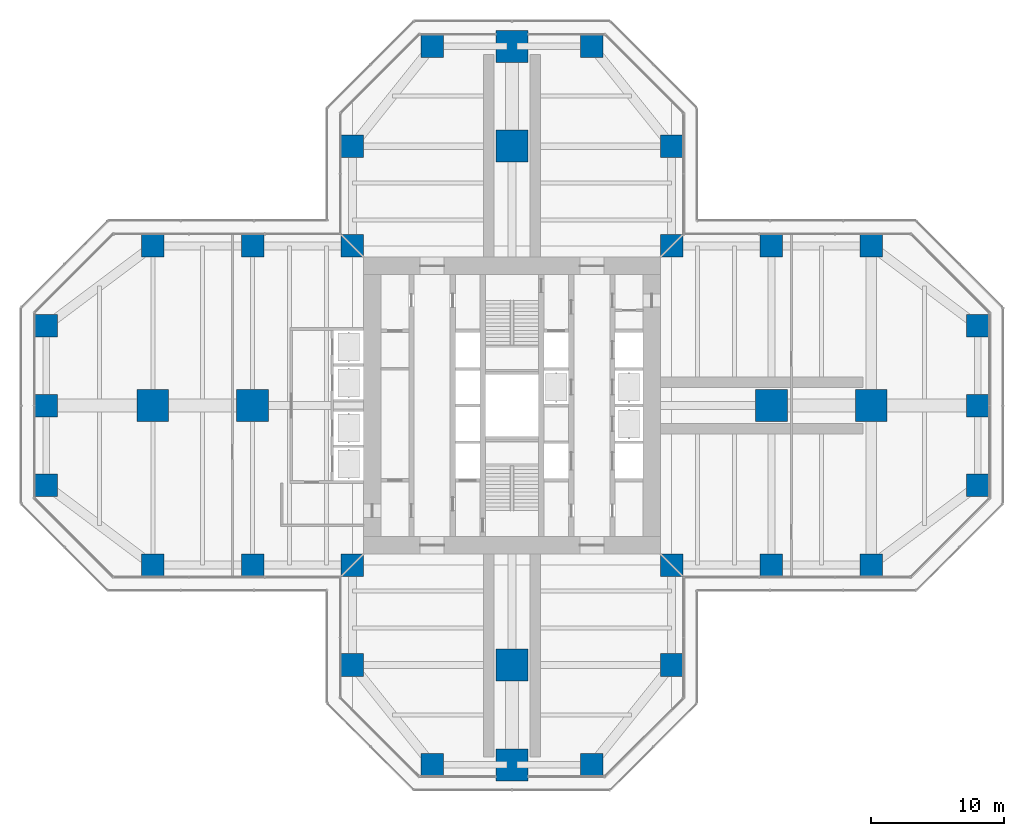
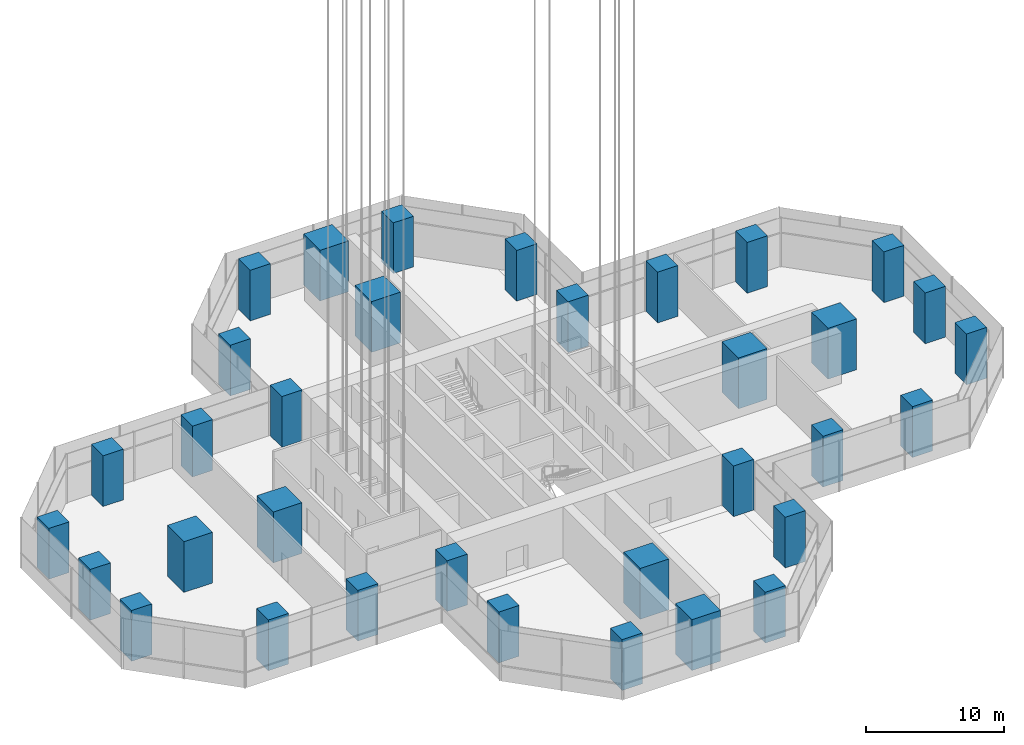
# One storey, part 1 of 34: 34 columns.
"""IFC4 building model written with IfcOpenShell, lengths in metres."""

from ifc_helpers import new_model, si_unit, direction, frame, origin, origin_2d, place, context, subcontext, project, spatial, rectangle, extrude, material, material_profile, profile_set, type_object, element, save


model = new_model("IFC4")

# Units and contexts
model_context = context("Model", 3, precision=1e-05, world=origin(), true_north=direction((0.0, 1.0)))
body_context = subcontext(model_context, "Body", "Model", "MODEL_VIEW")
ifc_project = project(units=[si_unit("LENGTHUNIT", "METRE"), si_unit("AREAUNIT", "SQUARE_METRE"), si_unit("VOLUMEUNIT", "CUBIC_METRE"), si_unit("PLANEANGLEUNIT", "RADIAN"), si_unit("MASSUNIT", "GRAM", prefix="KILO")], contexts=[model_context])

# Site, building, storey
site_placement = place(None, origin())
site = spatial("IfcSite", under=ifc_project, at=site_placement, CompositionType="ELEMENT")
building_placement = place(site_placement, origin())
building = spatial("IfcBuilding", under=site, at=building_placement, Name="Mizan Broadcast Tower", CompositionType="ELEMENT")
storey_placement = place(building_placement, frame((0.0, 0.0, 194.39990234375)))
storey = spatial("IfcBuildingStorey", under=building, at=storey_placement, Name="L45", CompositionType="ELEMENT", Elevation=194.39990234375)

# Columns
ifc_material_1 = material(Name="Concrete C70/85", Category="concrete")
ifc_material_profile_1 = material_profile(ifc_material_1, rectangle(XDim=1.699951171875, YDim=1.699951171875, at=origin_2d()), Name="RC 1700x1700")
ifc_profile_set_1 = profile_set([ifc_material_profile_1], Name="Concrete C70/85")
column_type_1 = type_object("IfcColumnType", Name="RC COLUMN 1700x1700 C70/85", PredefinedType="COLUMN", material=ifc_profile_set_1)
for number, where, z_axis, x_axis, name in (
    (1, (-6.0, -27.0, 0.0), (0.0, 0.0, 1.0), (1.0, 0.0, 0.0), "Column 5/B L45"),
    (2, (6.0, -27.0, 0.0), (0.0, 0.0, 1.0), (1.0, 0.0, 0.0), "Column 7/B L45"),
    (3, (-12.0, -19.5, 0.0), (0.0, 0.0, 1.0), (1.0, 0.0, 0.0), "Column 4/C L45"),
    (4, (12.0, -19.5, 0.0), (0.0, 0.0, 1.0), (1.0, 0.0, 0.0), "Column 8/C L45"),
    (5, (-27.0, -12.0, 0.0), (0.0, 0.0, 1.0), (1.0, 0.0, 0.0), "Column 2/D L45"),
    (6, (-19.5, -12.0, 0.0), (0.0, 0.0, 1.0), (1.0, 0.0, 0.0), "Column 3/D L45"),
    (7, (-12.0, -12.0, 0.0), (0.0, 0.0, 1.0), (1.0, 0.0, 0.0), "Column 4/D L45"),
    (8, (12.0, -12.0, 0.0), (0.0, 0.0, 1.0), (1.0, 0.0, 0.0), "Column 8/D L45"),
    (9, (19.5, -12.0, 0.0), (0.0, 0.0, 1.0), (1.0, 0.0, 0.0), "Column 9/D L45"),
    (10, (27.0, -12.0, 0.0), (0.0, 0.0, 1.0), (1.0, 0.0, 0.0), "Column 10/D L45"),
    (11, (-35.0, -6.0, 0.0), (0.0, 0.0, 1.0), (1.0, 0.0, 0.0), "Column 1/E L45"),
    (12, (35.0, -6.0, 0.0), (0.0, 0.0, 1.0), (1.0, 0.0, 0.0), "Column 11/E L45"),
    (13, (-35.0, 0.0, 0.0), (0.0, 0.0, 1.0), (1.0, 0.0, 0.0), "Column 1/F L45"),
    (14, (35.0, 0.0, 0.0), (0.0, 0.0, 1.0), (1.0, 0.0, 0.0), "Column 11/F L45"),
    (15, (-35.0, 6.0, 0.0), (0.0, 0.0, 1.0), (1.0, 0.0, 0.0), "Column 1/G L45"),
    (16, (35.0, 6.0, 0.0), (0.0, 0.0, 1.0), (1.0, 0.0, 0.0), "Column 11/G L45"),
    (17, (-27.0, 12.0, 0.0), (0.0, 0.0, 1.0), (1.0, 0.0, 0.0), "Column 2/H L45"),
    (18, (-19.5, 12.0, 0.0), (0.0, 0.0, 1.0), (1.0, 0.0, 0.0), "Column 3/H L45"),
    (19, (-12.0, 12.0, 0.0), (0.0, 0.0, 1.0), (1.0, 0.0, 0.0), "Column 4/H L45"),
    (20, (12.0, 12.0, 0.0), (0.0, 0.0, 1.0), (1.0, 0.0, 0.0), "Column 8/H L45"),
    (21, (19.5, 12.0, 0.0), (0.0, 0.0, 1.0), (1.0, 0.0, 0.0), "Column 9/H L45"),
    (22, (27.0, 12.0, 0.0), (0.0, 0.0, 1.0), (1.0, 0.0, 0.0), "Column 10/H L45"),
    (23, (-12.0, 19.5, 0.0), (0.0, 0.0, 1.0), (1.0, 0.0, 0.0), "Column 4/J L45"),
    (24, (12.0, 19.5, 0.0), (0.0, 0.0, 1.0), (1.0, 0.0, 0.0), "Column 8/J L45"),
    (25, (-6.0, 27.0, 0.0), (0.0, 0.0, 1.0), (1.0, 0.0, 0.0), "Column 5/K L45"),
    (26, (6.0, 27.0, 0.0), (0.0, 0.0, 1.0), (1.0, 0.0, 0.0), "Column 7/K L45"),
):
    element("IfcColumn", number, at=place(storey_placement, frame(where, z_axis=z_axis, x_axis=x_axis)), inside=storey, type_object=column_type_1, Name=name, PredefinedType="COLUMN", context=body_context, shape_type="SweptSolid", body=[
        extrude(rectangle(XDim=1.699951171875, YDim=1.699951171875, at=origin_2d()), origin(), (0.0, 0.0, 1.0), 4.5),
    ])
ifc_material_2 = material(Name="Concrete C70/85", Category="concrete")
ifc_material_profile_2 = material_profile(ifc_material_2, rectangle(XDim=2.39990234375, YDim=2.39990234375, at=origin_2d()), Name="RC 2400x2400")
ifc_profile_set_2 = profile_set([ifc_material_profile_2], Name="Concrete C70/85")
column_type_2 = type_object("IfcColumnType", Name="RC COLUMN 2400x2400 C70/85", PredefinedType="COLUMN", material=ifc_profile_set_2)
for number, where, z_axis, x_axis, name in (
    (27, (0.0, -27.0, 0.0), (0.0, 0.0, 1.0), (1.0, 0.0, 0.0), "Column 6/B L45"),
    (28, (0.0, -19.5, 0.0), (0.0, 0.0, 1.0), (1.0, 0.0, 0.0), "Column 6/C L45"),
    (29, (-27.0, 0.0, 0.0), (0.0, 0.0, 1.0), (1.0, 0.0, 0.0), "Column 2/F L45"),
    (30, (-19.5, 0.0, 0.0), (0.0, 0.0, 1.0), (1.0, 0.0, 0.0), "Column 3/F L45"),
    (31, (19.5, 0.0, 0.0), (0.0, 0.0, 1.0), (1.0, 0.0, 0.0), "Column 9/F L45"),
    (32, (27.0, 0.0, 0.0), (0.0, 0.0, 1.0), (1.0, 0.0, 0.0), "Column 10/F L45"),
    (33, (0.0, 19.5, 0.0), (0.0, 0.0, 1.0), (1.0, 0.0, 0.0), "Column 6/J L45"),
    (34, (0.0, 27.0, 0.0), (0.0, 0.0, 1.0), (1.0, 0.0, 0.0), "Column 6/K L45"),
):
    element("IfcColumn", number, at=place(storey_placement, frame(where, z_axis=z_axis, x_axis=x_axis)), inside=storey, type_object=column_type_2, Name=name, PredefinedType="COLUMN", context=body_context, shape_type="SweptSolid", body=[
        extrude(rectangle(XDim=2.39990234375, YDim=2.39990234375, at=origin_2d()), origin(), (0.0, 0.0, 1.0), 4.5),
    ])

save(model, "model.ifc")
